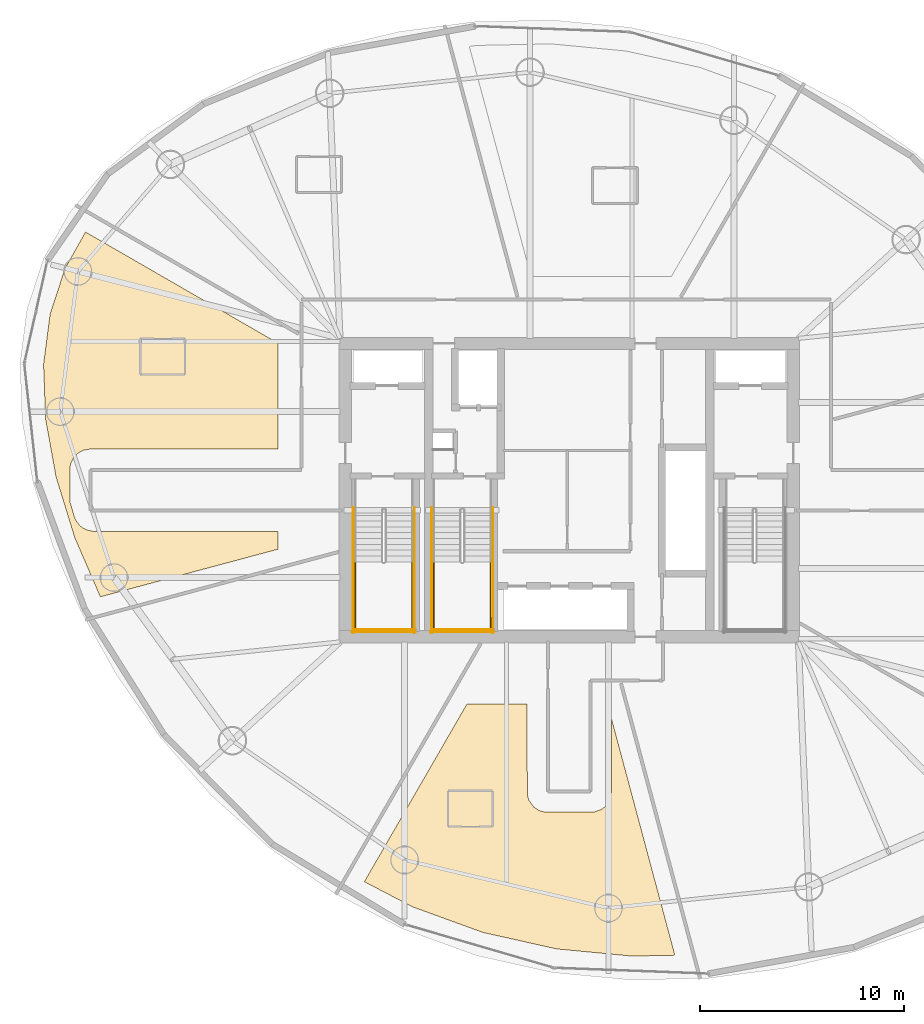
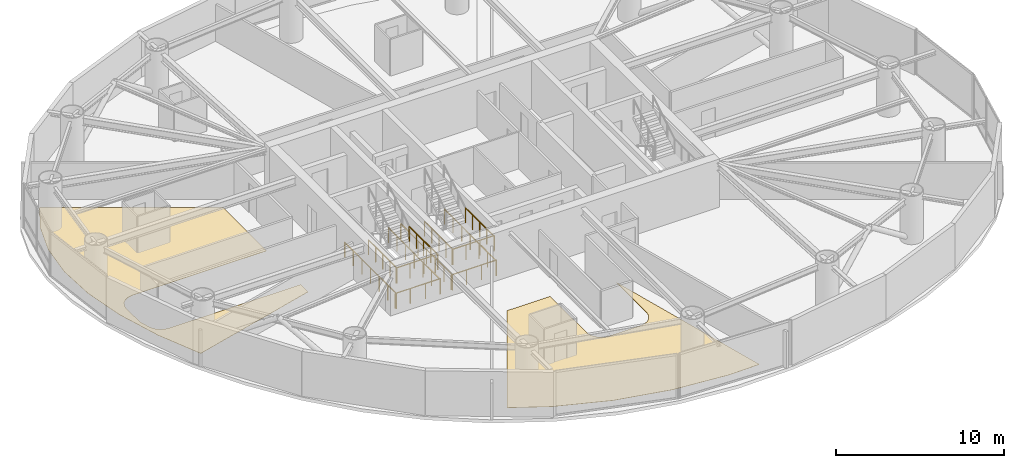
# One storey, part 20 of 22: 12 railings, 2 coverings.
"""IFC4 building model written with IfcOpenShell, lengths in metres."""

from ifc_helpers import new_model, si_unit, direction, frame, origin, origin_2d, place, context, subcontext, project, spatial, polyline, circle, outline, extrude, material, layer, layer_set, type_object, element, save


model = new_model("IFC4")

# Units and contexts
model_context = context("Model", 3, precision=1e-05, world=origin(), true_north=direction((0.0, 1.0)))
body_context = subcontext(model_context, "Body", "Model", "MODEL_VIEW")
ifc_project = project(units=[si_unit("LENGTHUNIT", "METRE"), si_unit("AREAUNIT", "SQUARE_METRE"), si_unit("VOLUMEUNIT", "CUBIC_METRE"), si_unit("PLANEANGLEUNIT", "RADIAN"), si_unit("MASSUNIT", "GRAM", prefix="KILO")], contexts=[model_context])

# Site, building, storey
site_placement = place(None, origin())
site = spatial("IfcSite", under=ifc_project, at=site_placement, CompositionType="ELEMENT")
building_placement = place(site_placement, origin())
building = spatial("IfcBuilding", under=site, at=building_placement, Name="Bramvorn Convention Spire", CompositionType="ELEMENT")
storey_placement = place(building_placement, frame((0.0, 0.0, 127.300048828125)))
storey = spatial("IfcBuildingStorey", under=building, at=storey_placement, Name="L31", CompositionType="ELEMENT", Elevation=127.300048828125)

# Coverings
ifc_material_1 = material(Name="Solution-Dyed Wool Broadloom Hospitality Carpet", Category="textile")
ifc_layer = layer(ifc_material_1, 0.014892578125)
ifc_layer_set = layer_set([ifc_layer], Name="Solution-Dyed Wool Broadloom Hospitality Carpet - FLR-CARPET-15")
covering_type = type_object("IfcCoveringType", Name="FLR-CARPET-15", PredefinedType="FLOORING", material=ifc_layer_set)
covering_1_placement = place(storey_placement, origin())
element("IfcCovering", 1, at=covering_1_placement, inside=storey, type_object=covering_type, Name="Hotel Suite 3104 wool broadloom carpet", PredefinedType="FLOORING", context=body_context, shape_type="SweptSolid", body=[
    extrude(outline(polyline([(14.982177734375, 20.76416015625), (23.699951171875, 23.10009765625), (23.699951171875, 23.97998046875), (14.62255859375, 23.981689453125), (14.34130859375, 24.037353515625), (14.150634765625, 24.127197265625), (13.9912109375, 24.246337890625), (13.80859375, 24.46728515625), (13.70361328125, 24.69921875), (13.49072265625, 25.430908203125), (13.481689453125, 27.055908203125), (13.537841796875, 27.337890625), (13.67724609375, 27.602783203125), (13.8876953125, 27.815673828125), (14.15087890625, 27.958251953125), (14.5, 28.02001953125), (23.699951171875, 28.02001953125), (23.699951171875, 33.216796875), (14.256103515625, 38.669189453125), (13.25390625, 36.888427734375), (12.515380859375, 34.63330078125), (12.19580078125, 32.172119140625), (12.294189453125, 29.50341796875), (12.808349609375, 26.64990234375), (13.731689453125, 23.65869140625), (14.982177734375, 20.76416015625)])), origin(), (0.0, 0.0, 1.0), 0.014892578125),
])
covering_2_placement = place(storey_placement, origin())
element("IfcCovering", 2, at=covering_2_placement, inside=storey, type_object=covering_type, Name="Hotel Suite 3106 wool broadloom carpet", PredefinedType="FLOORING", context=body_context, shape_type="SweptSolid", body=[
    extrude(outline(polyline([(41.067626953125, 3.127685546875), (43.185302734375, 3.1708984375), (40.070068359375, 14.79736328125), (40.06884765625, 11.15576171875), (40.01220703125, 10.862060546875), (39.872802734375, 10.59716796875), (39.73046875, 10.4404296875), (39.5693359375, 10.322265625), (39.19384765625, 10.190185546875), (36.80615234375, 10.190185546875), (36.508544921875, 10.280517578125), (36.2607421875, 10.4482421875), (36.030517578125, 10.758544921875), (35.94189453125, 11.04443359375), (35.929931640625, 15.5), (32.97705078125, 15.5), (27.94140625, 6.778076171875), (30.31005859375, 5.54345703125), (33.78173828125, 4.28173828125), (37.390625, 3.47900390625), (41.067626953125, 3.127685546875)])), origin(), (0.0, 0.0, 1.0), 0.014892578125),
])

# Railings
ifc_material_2 = material(Name="Painted Steel Balustrade & Guardrail", Category="steel")
railing_type = type_object("IfcRailingType", Name="RL-STAIR-GUARD-1100", PredefinedType="GUARDRAIL", material=ifc_material_2)
for number, where, name in (
    (3, (27.5, 22.485107421875, 1.75), "L31 ST1 stair guard 3"),
    (4, (30.300048828125, 22.485107421875, 1.75), "L31 ST1 stair guard 4"),
):
    element("IfcRailing", number, at=place(storey_placement, frame(where)), inside=storey, type_object=railing_type, Name=name, PredefinedType="GUARDRAIL", context=body_context, shape_type="SweptSolid", body=[
        extrude(circle(Radius=0.02392578125, at=origin_2d()), frame((0.0, 0.0, 1.076171875), z_axis=(0.0, -1.0, 0.0), x_axis=(1.0, 0.0, 0.0)), (0.0, 0.0, 1.0), 3.385009765625),
        extrude(circle(Radius=0.02099609375, at=origin_2d()), origin(), (0.0, 0.0, 1.0), 1.052001953125),
        extrude(circle(Radius=0.02099609375, at=origin_2d()), frame((0.0, -0.84619140625, 0.0)), (0.0, 0.0, 1.0), 1.052001953125),
        extrude(circle(Radius=0.02099609375, at=origin_2d()), frame((0.0, -1.6923828125, 0.0)), (0.0, 0.0, 1.0), 1.052001953125),
        extrude(circle(Radius=0.02099609375, at=origin_2d()), frame((0.0, -2.538818359375, 0.0)), (0.0, 0.0, 1.0), 1.052001953125),
        extrude(circle(Radius=0.02099609375, at=origin_2d()), frame((0.0, -3.385009765625, 0.0)), (0.0, 0.0, 1.0), 1.052001953125),
    ])
railing_1_placement = place(storey_placement, frame((27.449951171875, 19.14990234375, 1.75)))
element("IfcRailing", 5, at=railing_1_placement, inside=storey, type_object=railing_type, Name="L31 ST1 stair guard 5", PredefinedType="GUARDRAIL", context=body_context, shape_type="SweptSolid", body=[
    extrude(circle(Radius=0.02392578125, at=origin_2d()), frame((0.0, 0.0, 1.076171875), z_axis=(1.0, 0.0, 0.0), x_axis=(0.0, 1.0, 0.0)), (0.0, 0.0, 1.0), 2.900146484375),
    extrude(circle(Radius=0.02099609375, at=origin_2d()), origin(), (0.0, 0.0, 1.0), 1.052001953125),
    extrude(circle(Radius=0.02099609375, at=origin_2d()), frame((0.966796875, 0.0, 0.0)), (0.0, 0.0, 1.0), 1.052001953125),
    extrude(circle(Radius=0.02099609375, at=origin_2d()), frame((1.933349609375, 0.0, 0.0)), (0.0, 0.0, 1.0), 1.052001953125),
    extrude(circle(Radius=0.02099609375, at=origin_2d()), frame((2.900146484375, 0.0, 0.0)), (0.0, 0.0, 1.0), 1.052001953125),
])
for number, where, name in (
    (6, (27.39990234375, 25.14990234375, 0.0), "L31 ST1 stair guard 10"),
    (7, (30.39990234375, 25.14990234375, 0.0), "L31 ST1 stair guard 11"),
):
    element("IfcRailing", number, at=place(storey_placement, frame(where)), inside=storey, type_object=railing_type, Name=name, PredefinedType="GUARDRAIL", context=body_context, shape_type="SweptSolid", body=[
        extrude(circle(Radius=0.02392578125, at=origin_2d()), frame((0.0, 0.0, 1.076171875), z_axis=(0.0, -1.0, 0.0), x_axis=(1.0, 0.0, 0.0)), (0.0, 0.0, 1.0), 6.14990234375),
        extrude(circle(Radius=0.02099609375, at=origin_2d()), origin(), (0.0, 0.0, 1.0), 1.052001953125),
        extrude(circle(Radius=0.02099609375, at=origin_2d()), frame((0.0, -1.02490234375, 0.0)), (0.0, 0.0, 1.0), 1.052001953125),
        extrude(circle(Radius=0.02099609375, at=origin_2d()), frame((0.0, -2.050048828125, 0.0)), (0.0, 0.0, 1.0), 1.052001953125),
        extrude(circle(Radius=0.02099609375, at=origin_2d()), frame((0.0, -3.074951171875, 0.0)), (0.0, 0.0, 1.0), 1.052001953125),
        extrude(circle(Radius=0.02099609375, at=origin_2d()), frame((0.0, -4.099853515625, 0.0)), (0.0, 0.0, 1.0), 1.052001953125),
        extrude(circle(Radius=0.02099609375, at=origin_2d()), frame((0.0, -5.125, 0.0)), (0.0, 0.0, 1.0), 1.052001953125),
        extrude(circle(Radius=0.02099609375, at=origin_2d()), frame((0.0, -6.14990234375, 0.0)), (0.0, 0.0, 1.0), 1.052001953125),
    ])
railing_2_placement = place(storey_placement, frame((27.35009765625, 19.050048828125, 0.0)))
element("IfcRailing", 8, at=railing_2_placement, inside=storey, type_object=railing_type, Name="L31 ST1 stair guard 12", PredefinedType="GUARDRAIL", context=body_context, shape_type="SweptSolid", body=[
    extrude(circle(Radius=0.02392578125, at=origin_2d()), frame((0.0, 0.0, 1.076171875), z_axis=(1.0, 0.0, 0.0), x_axis=(0.0, 1.0, 0.0)), (0.0, 0.0, 1.0), 3.099853515625),
    extrude(circle(Radius=0.02099609375, at=origin_2d()), origin(), (0.0, 0.0, 1.0), 1.052001953125),
    extrude(circle(Radius=0.02099609375, at=origin_2d()), frame((1.033203125, 0.0, 0.0)), (0.0, 0.0, 1.0), 1.052001953125),
    extrude(circle(Radius=0.02099609375, at=origin_2d()), frame((2.066650390625, 0.0, 0.0)), (0.0, 0.0, 1.0), 1.052001953125),
    extrude(circle(Radius=0.02099609375, at=origin_2d()), frame((3.099853515625, 0.0, 0.0)), (0.0, 0.0, 1.0), 1.052001953125),
])
for number, where, name in (
    (9, (31.35009765625, 22.485107421875, 1.75), "L31 ST3 stair guard 3"),
    (10, (34.14990234375, 22.485107421875, 1.75), "L31 ST3 stair guard 4"),
):
    element("IfcRailing", number, at=place(storey_placement, frame(where)), inside=storey, type_object=railing_type, Name=name, PredefinedType="GUARDRAIL", context=body_context, shape_type="SweptSolid", body=[
        extrude(circle(Radius=0.02392578125, at=origin_2d()), frame((0.0, 0.0, 1.076171875), z_axis=(0.0, -1.0, 0.0), x_axis=(1.0, 0.0, 0.0)), (0.0, 0.0, 1.0), 3.385009765625),
        extrude(circle(Radius=0.02099609375, at=origin_2d()), origin(), (0.0, 0.0, 1.0), 1.052001953125),
        extrude(circle(Radius=0.02099609375, at=origin_2d()), frame((0.0, -0.84619140625, 0.0)), (0.0, 0.0, 1.0), 1.052001953125),
        extrude(circle(Radius=0.02099609375, at=origin_2d()), frame((0.0, -1.6923828125, 0.0)), (0.0, 0.0, 1.0), 1.052001953125),
        extrude(circle(Radius=0.02099609375, at=origin_2d()), frame((0.0, -2.538818359375, 0.0)), (0.0, 0.0, 1.0), 1.052001953125),
        extrude(circle(Radius=0.02099609375, at=origin_2d()), frame((0.0, -3.385009765625, 0.0)), (0.0, 0.0, 1.0), 1.052001953125),
    ])
railing_3_placement = place(storey_placement, frame((31.300048828125, 19.14990234375, 1.75)))
element("IfcRailing", 11, at=railing_3_placement, inside=storey, type_object=railing_type, Name="L31 ST3 stair guard 5", PredefinedType="GUARDRAIL", context=body_context, shape_type="SweptSolid", body=[
    extrude(circle(Radius=0.02392578125, at=origin_2d()), frame((0.0, 0.0, 1.076171875), z_axis=(1.0, 0.0, 0.0), x_axis=(0.0, 1.0, 0.0)), (0.0, 0.0, 1.0), 2.89990234375),
    extrude(circle(Radius=0.02099609375, at=origin_2d()), origin(), (0.0, 0.0, 1.0), 1.052001953125),
    extrude(circle(Radius=0.02099609375, at=origin_2d()), frame((0.966552734375, 0.0, 0.0)), (0.0, 0.0, 1.0), 1.052001953125),
    extrude(circle(Radius=0.02099609375, at=origin_2d()), frame((1.933349609375, 0.0, 0.0)), (0.0, 0.0, 1.0), 1.052001953125),
    extrude(circle(Radius=0.02099609375, at=origin_2d()), frame((2.89990234375, 0.0, 0.0)), (0.0, 0.0, 1.0), 1.052001953125),
])
for number, where, name in (
    (12, (31.25, 25.14990234375, 0.0), "L31 ST3 stair guard 10"),
    (13, (34.25, 25.14990234375, 0.0), "L31 ST3 stair guard 11"),
):
    element("IfcRailing", number, at=place(storey_placement, frame(where)), inside=storey, type_object=railing_type, Name=name, PredefinedType="GUARDRAIL", context=body_context, shape_type="SweptSolid", body=[
        extrude(circle(Radius=0.02392578125, at=origin_2d()), frame((0.0, 0.0, 1.076171875), z_axis=(0.0, -1.0, 0.0), x_axis=(1.0, 0.0, 0.0)), (0.0, 0.0, 1.0), 6.14990234375),
        extrude(circle(Radius=0.02099609375, at=origin_2d()), origin(), (0.0, 0.0, 1.0), 1.052001953125),
        extrude(circle(Radius=0.02099609375, at=origin_2d()), frame((0.0, -1.02490234375, 0.0)), (0.0, 0.0, 1.0), 1.052001953125),
        extrude(circle(Radius=0.02099609375, at=origin_2d()), frame((0.0, -2.050048828125, 0.0)), (0.0, 0.0, 1.0), 1.052001953125),
        extrude(circle(Radius=0.02099609375, at=origin_2d()), frame((0.0, -3.074951171875, 0.0)), (0.0, 0.0, 1.0), 1.052001953125),
        extrude(circle(Radius=0.02099609375, at=origin_2d()), frame((0.0, -4.099853515625, 0.0)), (0.0, 0.0, 1.0), 1.052001953125),
        extrude(circle(Radius=0.02099609375, at=origin_2d()), frame((0.0, -5.125, 0.0)), (0.0, 0.0, 1.0), 1.052001953125),
        extrude(circle(Radius=0.02099609375, at=origin_2d()), frame((0.0, -6.14990234375, 0.0)), (0.0, 0.0, 1.0), 1.052001953125),
    ])
railing_4_placement = place(storey_placement, frame((31.199951171875, 19.050048828125, 0.0)))
element("IfcRailing", 14, at=railing_4_placement, inside=storey, type_object=railing_type, Name="L31 ST3 stair guard 12", PredefinedType="GUARDRAIL", context=body_context, shape_type="SweptSolid", body=[
    extrude(circle(Radius=0.02392578125, at=origin_2d()), frame((0.0, 0.0, 1.076171875), z_axis=(1.0, 0.0, 0.0), x_axis=(0.0, 1.0, 0.0)), (0.0, 0.0, 1.0), 3.10009765625),
    extrude(circle(Radius=0.02099609375, at=origin_2d()), origin(), (0.0, 0.0, 1.0), 1.052001953125),
    extrude(circle(Radius=0.02099609375, at=origin_2d()), frame((1.033447265625, 0.0, 0.0)), (0.0, 0.0, 1.0), 1.052001953125),
    extrude(circle(Radius=0.02099609375, at=origin_2d()), frame((2.066650390625, 0.0, 0.0)), (0.0, 0.0, 1.0), 1.052001953125),
    extrude(circle(Radius=0.02099609375, at=origin_2d()), frame((3.10009765625, 0.0, 0.0)), (0.0, 0.0, 1.0), 1.052001953125),
])

save(model, "model.ifc")
